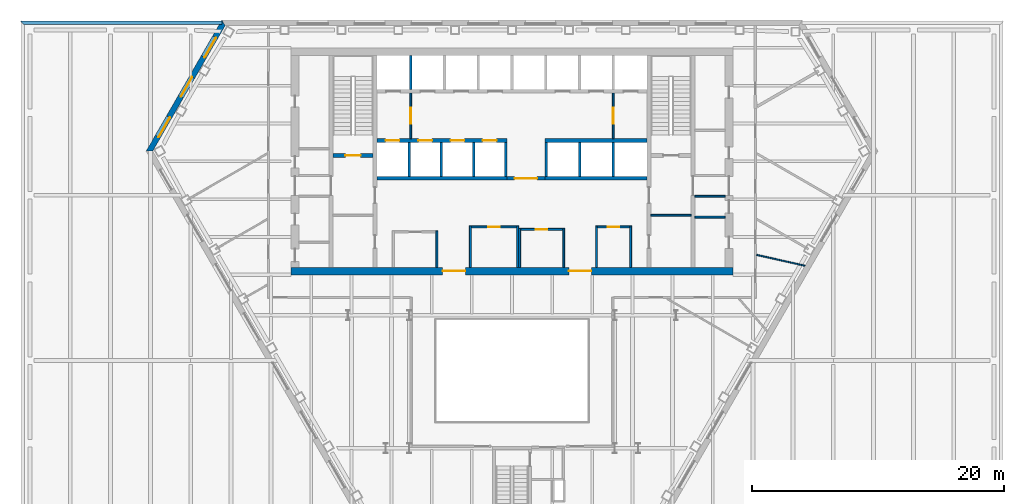
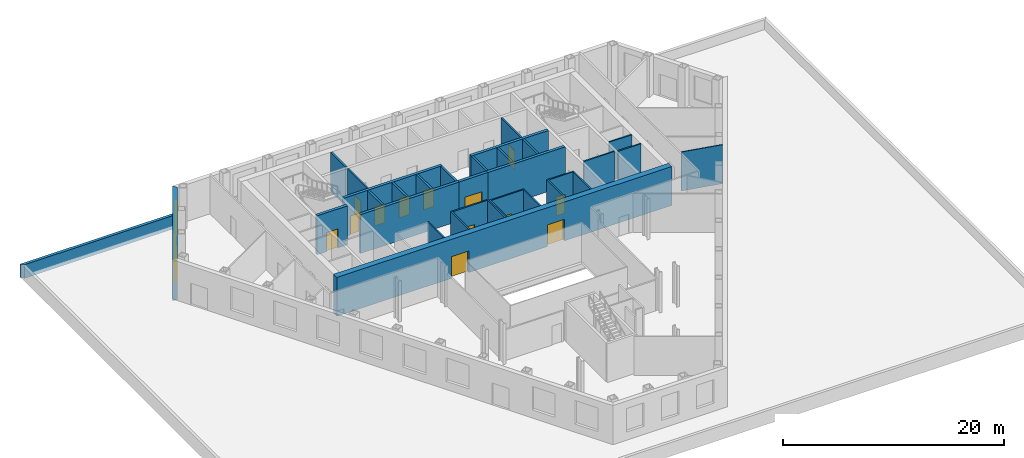
# One storey, part 8 of 14: 33 walls, 14 doors, 2 windows, 16 openings.
"""IFC4 building model written with IfcOpenShell, lengths in metres."""

from ifc_helpers import new_model, si_unit, direction, frame, frame_2d, origin, place, context, subcontext, project, spatial, polyline, rectangle, outline, extrude, material, layer, layer_set, type_object, element, fill, save


model = new_model("IFC4")

# Units and contexts
model_context = context("Model", 3, precision=1e-05, world=origin(), true_north=direction((0.0, 1.0)))
body_context = subcontext(model_context, "Body", "Model", "MODEL_VIEW")
ifc_project = project(units=[si_unit("LENGTHUNIT", "METRE"), si_unit("AREAUNIT", "SQUARE_METRE"), si_unit("VOLUMEUNIT", "CUBIC_METRE"), si_unit("PLANEANGLEUNIT", "RADIAN"), si_unit("MASSUNIT", "GRAM", prefix="KILO")], contexts=[model_context])

# Site, building, storey
site_placement = place(None, origin())
site = spatial("IfcSite", under=ifc_project, at=site_placement, CompositionType="ELEMENT")
building_placement = place(site_placement, origin())
building = spatial("IfcBuilding", under=site, at=building_placement, Name="Njiva Tower", CompositionType="ELEMENT")
storey_placement = place(building_placement, frame((0.0, 0.0, 28.8)))
storey = spatial("IfcBuildingStorey", under=building, at=storey_placement, Name="L05", CompositionType="ELEMENT", Elevation=28.8)

# Walls
ifc_material_1 = material(Name="Blockwork", Category="masonry")
ifc_layer_1 = layer(ifc_material_1, 0.15)
ifc_layer_set_1 = layer_set([ifc_layer_1], Name="Blockwork")
wall_type_1 = type_object("IfcWallType", Name="WT1 Compartment partition 150", PredefinedType="PARTITIONING", material=ifc_layer_set_1)
wall_1_placement = place(storey_placement, frame((11.0, 4.725, 0.0), z_axis=(0.0, 0.0, 1.0), x_axis=(1.0, 0.0, 0.0)))
element("IfcWall", 1, at=wall_1_placement, inside=storey, type_object=wall_type_1, Name="Room wall B", PredefinedType="PARTITIONING", context=body_context, shape_type="SweptSolid", body=[
    extrude(rectangle(XDim=3.2, YDim=0.15, at=frame_2d((1.6, 0.0))), origin(), (0.0, 0.0, 1.0), 4.3),
])
wall_2_placement = place(storey_placement, frame((14.5, 4.575, 0.0), z_axis=(0.0, 0.0, 1.0), x_axis=(1.0, 0.0, 0.0)))
element("IfcWall", 2, at=wall_2_placement, inside=storey, type_object=wall_type_1, Name="Partition strip E00", PredefinedType="PARTITIONING", context=body_context, shape_type="SweptSolid", body=[
    extrude(rectangle(XDim=2.4, YDim=0.15, at=frame_2d((1.2, 0.0))), origin(), (0.0, 0.0, 1.0), 4.3),
])
wall_3_placement = place(storey_placement, frame((-5.95, 0.6, 0.0), z_axis=(0.0, 0.0, 1.0), x_axis=(0.0, 1.0, 0.0)))
element("IfcWall", 3, at=wall_3_placement, inside=storey, type_object=wall_type_1, Name="Parcel room wall east", PredefinedType="PARTITIONING", context=body_context, shape_type="SweptSolid", body=[
    extrude(rectangle(XDim=2.875, YDim=0.15, at=frame_2d((1.4375, 0.0))), origin(), (0.0, 0.0, 1.0), 4.3),
])
for number, where, z_axis, x_axis, name in (
    (4, (-3.3, 0.6, 0.0), (0.0, 0.0, 1.0), (0.0, 1.0, 0.0), "Security office wall west"),
    (5, (0.45, 0.6, 0.0), (0.0, 0.0, 1.0), (0.0, 1.0, 0.0), "Security office wall east"),
):
    element("IfcWall", number, at=place(storey_placement, frame(where, z_axis=z_axis, x_axis=x_axis)), inside=storey, type_object=wall_type_1, Name=name, PredefinedType="PARTITIONING", context=body_context, shape_type="SweptSolid", body=[
        extrude(rectangle(XDim=3.275, YDim=0.15, at=frame_2d((1.6375, 0.0))), origin(), (0.0, 0.0, 1.0), 4.3),
    ])

# Wall, opening, door
wall_4_placement = place(storey_placement, frame((-3.225, 3.8, 0.0), z_axis=(0.0, 0.0, 1.0), x_axis=(1.0, 0.0, 0.0)))
wall_4 = element("IfcWall", 6, at=wall_4_placement, inside=storey, type_object=wall_type_1, Name="Security office wall north", PredefinedType="PARTITIONING", context=body_context, shape_type="SweptSolid", body=[
    extrude(rectangle(XDim=3.6, YDim=0.15, at=frame_2d((1.8, 0.0))), origin(), (0.0, 0.0, 1.0), 4.3),
])
opening_1_placement = place(wall_4_placement, frame((1.35, 0.0, 0.0)))
opening_1 = element("IfcOpeningElement", 7, at=opening_1_placement, cuts=wall_4, Name="Opening S01-D933", PredefinedType="OPENING", context=body_context, shape_type="SweptSolid", body=[
    extrude(rectangle(XDim=0.9, YDim=2.1, at=frame_2d((0.45, 1.05))), frame((0.0, 0.085, 0.0), z_axis=(0.0, -1.0, 0.0), x_axis=(1.0, 0.0, 0.0)), (0.0, 0.0, 1.0), 0.17),
])
ifc_material_2 = material(Name="Steel fire door, painted", Category="steel")
door_type_1 = type_object("IfcDoorType", Name="D6 Fire-rated door 900x2100", OperationType="SINGLE_SWING_LEFT", PredefinedType="DOOR", material=ifc_material_2)
door_1_placement = place(opening_1_placement, origin())
door_1 = element("IfcDoor", 8, at=door_1_placement, inside=storey, type_object=door_type_1, Name="Security office door", OperationType="SINGLE_SWING_LEFT", OverallHeight=2.1, OverallWidth=0.9, PredefinedType="DOOR", context=body_context, shape_type="SweptSolid", body=[
    extrude(rectangle(XDim=0.9, YDim=2.1, at=frame_2d((0.45, 1.05))), frame((0.0, 0.025, 0.0), z_axis=(0.0, -1.0, 0.0), x_axis=(1.0, 0.0, 0.0)), (0.0, 0.0, 1.0), 0.05),
])
fill(opening_1, door_1)

# Walls
for number, where, z_axis, x_axis, name in (
    (9, (0.6, 0.6, 0.0), (0.0, 0.0, 1.0), (0.0, 1.0, 0.0), "Concierge office wall west"),
    (10, (4.1, 0.6, 0.0), (0.0, 0.0, 1.0), (0.0, 1.0, 0.0), "Concierge office wall east"),
):
    element("IfcWall", number, at=place(storey_placement, frame(where, z_axis=z_axis, x_axis=x_axis)), inside=storey, type_object=wall_type_1, Name=name, PredefinedType="PARTITIONING", context=body_context, shape_type="SweptSolid", body=[
        extrude(rectangle(XDim=3.075, YDim=0.15, at=frame_2d((1.5375, 0.0))), origin(), (0.0, 0.0, 1.0), 4.3),
    ])

# Wall, opening, door
wall_5_placement = place(storey_placement, frame((0.675, 3.6, 0.0), z_axis=(0.0, 0.0, 1.0), x_axis=(1.0, 0.0, 0.0)))
wall_5 = element("IfcWall", 11, at=wall_5_placement, inside=storey, type_object=wall_type_1, Name="Concierge office wall north", PredefinedType="PARTITIONING", context=body_context, shape_type="SweptSolid", body=[
    extrude(rectangle(XDim=3.35, YDim=0.15, at=frame_2d((1.675, 0.0))), origin(), (0.0, 0.0, 1.0), 4.3),
])
opening_2_placement = place(wall_5_placement, frame((1.225, 0.0, 0.0)))
opening_2 = element("IfcOpeningElement", 12, at=opening_2_placement, cuts=wall_5, Name="Opening S01-D934", PredefinedType="OPENING", context=body_context, shape_type="SweptSolid", body=[
    extrude(rectangle(XDim=0.9, YDim=2.1, at=frame_2d((0.45, 1.05))), frame((0.0, 0.085, 0.0), z_axis=(0.0, -1.0, 0.0), x_axis=(1.0, 0.0, 0.0)), (0.0, 0.0, 1.0), 0.17),
])
door_2_placement = place(opening_2_placement, origin())
door_2 = element("IfcDoor", 13, at=door_2_placement, inside=storey, type_object=door_type_1, Name="Concierge office door", OperationType="SINGLE_SWING_LEFT", OverallHeight=2.1, OverallWidth=0.9, PredefinedType="DOOR", context=body_context, shape_type="SweptSolid", body=[
    extrude(rectangle(XDim=0.9, YDim=2.1, at=frame_2d((0.45, 1.05))), frame((0.0, 0.025, 0.0), z_axis=(0.0, -1.0, 0.0), x_axis=(1.0, 0.0, 0.0)), (0.0, 0.0, 1.0), 0.05),
])
fill(opening_2, door_2)

# Walls
for number, where, z_axis, x_axis, name in (
    (14, (6.7, 0.6, 0.0), (0.0, 0.0, 1.0), (0.0, 1.0, 0.0), "Post room wall west"),
    (15, (9.4, 0.6, 0.0), (0.0, 0.0, 1.0), (0.0, 1.0, 0.0), "Post room wall east"),
):
    element("IfcWall", number, at=place(storey_placement, frame(where, z_axis=z_axis, x_axis=x_axis)), inside=storey, type_object=wall_type_1, Name=name, PredefinedType="PARTITIONING", context=body_context, shape_type="SweptSolid", body=[
        extrude(rectangle(XDim=3.275, YDim=0.15, at=frame_2d((1.6375, 0.0))), origin(), (0.0, 0.0, 1.0), 4.3),
    ])

# Wall, opening, door
wall_6_placement = place(storey_placement, frame((6.775, 3.8, 0.0), z_axis=(0.0, 0.0, 1.0), x_axis=(1.0, 0.0, 0.0)))
wall_6 = element("IfcWall", 16, at=wall_6_placement, inside=storey, type_object=wall_type_1, Name="Post room wall north", PredefinedType="PARTITIONING", context=body_context, shape_type="SweptSolid", body=[
    extrude(rectangle(XDim=2.55, YDim=0.15, at=frame_2d((1.275, 0.0))), origin(), (0.0, 0.0, 1.0), 4.3),
])
opening_3_placement = place(wall_6_placement, frame((0.825, 0.0, 0.0)))
opening_3 = element("IfcOpeningElement", 17, at=opening_3_placement, cuts=wall_6, Name="Opening S01-D935", PredefinedType="OPENING", context=body_context, shape_type="SweptSolid", body=[
    extrude(rectangle(XDim=0.9, YDim=2.1, at=frame_2d((0.45, 1.05))), frame((0.0, 0.085, 0.0), z_axis=(0.0, -1.0, 0.0), x_axis=(1.0, 0.0, 0.0)), (0.0, 0.0, 1.0), 0.17),
])
door_3_placement = place(opening_3_placement, origin())
door_3 = element("IfcDoor", 18, at=door_3_placement, inside=storey, type_object=door_type_1, Name="Post room door", OperationType="SINGLE_SWING_RIGHT", OverallHeight=2.1, OverallWidth=0.9, PredefinedType="DOOR", context=body_context, shape_type="SweptSolid", body=[
    extrude(rectangle(XDim=0.9, YDim=2.1, at=frame_2d((0.45, 1.05))), frame((0.0, 0.025, 0.0), z_axis=(0.0, -1.0, 0.0), x_axis=(1.0, 0.0, 0.0)), (0.0, 0.0, 1.0), 0.05),
])
fill(opening_3, door_3)

ifc_material_3 = material(Name="Concrete C40/50", Category="concrete")
ifc_layer_2 = layer(ifc_material_3, 0.3)
ifc_layer_set_2 = layer_set([ifc_layer_2], Name="Concrete C40/50")
wall_type_2 = type_object("IfcWallType", Name="WT10 Stair enclosure wall 300", PredefinedType="SHEAR", material=ifc_layer_set_2)
wall_7_placement = place(storey_placement, frame((-14.2, 9.45, 0.0), z_axis=(0.0, 0.0, 1.0), x_axis=(1.0, 0.0, 0.0)))
wall_7 = element("IfcWall", 19, at=wall_7_placement, inside=storey, type_object=wall_type_2, Name="Stair A south wall", PredefinedType="SHEAR", context=body_context, shape_type="SweptSolid", body=[
    extrude(rectangle(XDim=3.2, YDim=0.3, at=frame_2d((1.6, 0.0))), origin(), (0.0, 0.0, 1.0), 4.3),
])
opening_4_placement = place(wall_7_placement, frame((1.0, 0.0, 0.0)))
opening_4 = element("IfcOpeningElement", 20, at=opening_4_placement, cuts=wall_7, Name="Opening S01-D913", PredefinedType="OPENING", context=body_context, shape_type="SweptSolid", body=[
    extrude(rectangle(XDim=1.2, YDim=2.1, at=frame_2d((0.6, 1.05))), frame((0.0, 0.16, 0.0), z_axis=(0.0, -1.0, 0.0), x_axis=(1.0, 0.0, 0.0)), (0.0, 0.0, 1.0), 0.32),
])
ifc_material_4 = material(Name="Glazed steel fire door", Category="steel")
door_type_2 = type_object("IfcDoorType", Name="D7 Stair vestibule door 1200x2100 glazed", OperationType="SINGLE_SWING_LEFT", PredefinedType="DOOR", material=ifc_material_4)
door_4_placement = place(opening_4_placement, origin())
door_4 = element("IfcDoor", 21, at=door_4_placement, inside=storey, type_object=door_type_2, Name="Stair A door", OperationType="SINGLE_SWING_LEFT", OverallHeight=2.1, OverallWidth=1.2, PredefinedType="DOOR", context=body_context, shape_type="SweptSolid", body=[
    extrude(rectangle(XDim=1.2, YDim=2.1, at=frame_2d((0.6, 1.05))), frame((0.0, 0.025, 0.0), z_axis=(0.0, -1.0, 0.0), x_axis=(1.0, 0.0, 0.0)), (0.0, 0.0, 1.0), 0.05),
])
fill(opening_4, door_4)

# Wall, openings, doors
ifc_material_5 = material(Name="Concrete C60/75", Category="concrete")
ifc_layer_3 = layer(ifc_material_5, 0.6)
ifc_layer_set_3 = layer_set([ifc_layer_3], Name="Concrete C60/75")
wall_type_3 = type_object("IfcWallType", Name="WT15 Core wall 600", PredefinedType="SHEAR", material=ifc_layer_set_3)
wall_8_placement = place(storey_placement, frame((-17.5, 0.3, 0.0), z_axis=(0.0, 0.0, 1.0), x_axis=(1.0, 0.0, 0.0)))
wall_8 = element("IfcWall", 22, at=wall_8_placement, inside=storey, type_object=wall_type_3, Name="Core wall south", PredefinedType="SHEAR", context=body_context, shape_type="SweptSolid", body=[
    extrude(rectangle(XDim=35.0, YDim=0.6, at=frame_2d((17.5, 0.0))), origin(), (0.0, 0.0, 1.0), 4.3),
])
opening_5_placement = place(wall_8_placement, frame((12.0, 0.0, 0.0)))
opening_5 = element("IfcOpeningElement", 23, at=opening_5_placement, cuts=wall_8, Name="Opening S01-D937", PredefinedType="OPENING", context=body_context, shape_type="SweptSolid", body=[
    extrude(rectangle(XDim=1.8, YDim=2.4, at=frame_2d((0.9, 1.2))), frame((0.0, 0.31, 0.0), z_axis=(0.0, -1.0, 0.0), x_axis=(1.0, 0.0, 0.0)), (0.0, 0.0, 1.0), 0.62),
])
opening_6_placement = place(wall_8_placement, frame((22.0, 0.0, 0.0)))
opening_6 = element("IfcOpeningElement", 24, at=opening_6_placement, cuts=wall_8, Name="Opening S01-D938", PredefinedType="OPENING", context=body_context, shape_type="SweptSolid", body=[
    extrude(rectangle(XDim=1.8, YDim=2.4, at=frame_2d((0.9, 1.2))), frame((0.0, 0.31, 0.0), z_axis=(0.0, -1.0, 0.0), x_axis=(1.0, 0.0, 0.0)), (0.0, 0.0, 1.0), 0.62),
])
ifc_material_6 = material(Name="Steel and glass door", Category="steel")
door_type_3 = type_object("IfcDoorType", Name="D3 Core entrance door 1800x2400", OperationType="DOUBLE_DOOR_SINGLE_SWING", PredefinedType="DOOR", material=ifc_material_6)
door_5_placement = place(opening_5_placement, origin())
door_5 = element("IfcDoor", 25, at=door_5_placement, inside=storey, type_object=door_type_3, Name="Core entrance door", OperationType="DOUBLE_DOOR_SINGLE_SWING", OverallHeight=2.4, OverallWidth=1.8, PredefinedType="DOOR", context=body_context, shape_type="SweptSolid", body=[
    extrude(rectangle(XDim=1.8, YDim=2.4, at=frame_2d((0.9, 1.2))), frame((0.0, 0.025, 0.0), z_axis=(0.0, -1.0, 0.0), x_axis=(1.0, 0.0, 0.0)), (0.0, 0.0, 1.0), 0.05),
])
fill(opening_5, door_5)
door_6_placement = place(opening_6_placement, origin())
door_6 = element("IfcDoor", 26, at=door_6_placement, inside=storey, type_object=door_type_3, Name="Core entrance door", OperationType="DOUBLE_DOOR_SINGLE_SWING", OverallHeight=2.4, OverallWidth=1.8, PredefinedType="DOOR", context=body_context, shape_type="SweptSolid", body=[
    extrude(rectangle(XDim=1.8, YDim=2.4, at=frame_2d((0.9, 1.2))), frame((0.0, 0.025, 0.0), z_axis=(0.0, -1.0, 0.0), x_axis=(1.0, 0.0, 0.0)), (0.0, 0.0, 1.0), 0.05),
])
fill(opening_6, door_6)

# Wall, opening, door
ifc_layer_4 = layer(ifc_material_1, 0.15)
ifc_layer_set_4 = layer_set([ifc_layer_4], Name="Blockwork")
wall_type_4 = type_object("IfcWallType", Name="WT2 Lobby partition 150", PredefinedType="PARTITIONING", material=ifc_layer_set_4)
wall_9_placement = place(storey_placement, frame((-8.025, 10.8, 0.0), z_axis=(0.0, 0.0, 1.0), x_axis=(0.0, 1.0, 0.0)))
wall_9 = element("IfcWall", 27, at=wall_9_placement, inside=storey, type_object=wall_type_4, Name="Firefighting lobby wall A", PredefinedType="PARTITIONING", context=body_context, shape_type="SweptSolid", body=[
    extrude(rectangle(XDim=3.6, YDim=0.15, at=frame_2d((1.8, 0.0))), origin(), (0.0, 0.0, 1.0), 4.3),
])
opening_7_placement = place(wall_9_placement, frame((1.175, 0.0, 0.0)))
opening_7 = element("IfcOpeningElement", 28, at=opening_7_placement, cuts=wall_9, Name="Opening S01-D912", PredefinedType="OPENING", context=body_context, shape_type="SweptSolid", body=[
    extrude(rectangle(XDim=1.25, YDim=2.1, at=frame_2d((0.625, 1.05))), frame((0.0, 0.085, 0.0), z_axis=(0.0, -1.0, 0.0), x_axis=(1.0, 0.0, 0.0)), (0.0, 0.0, 1.0), 0.17),
])
door_type_4 = type_object("IfcDoorType", Name="D8 Vestibule corridor door 1250x2100 glazed", OperationType="SINGLE_SWING_LEFT", PredefinedType="DOOR", material=ifc_material_4)
door_7_placement = place(opening_7_placement, origin())
door_7 = element("IfcDoor", 29, at=door_7_placement, inside=storey, type_object=door_type_4, Name="Stair vestibule corridor door", OperationType="SINGLE_SWING_RIGHT", OverallHeight=2.1, OverallWidth=1.25, PredefinedType="DOOR", context=body_context, shape_type="SweptSolid", body=[
    extrude(rectangle(XDim=1.25, YDim=2.1, at=frame_2d((0.625, 1.05))), frame((0.0, 0.025, 0.0), z_axis=(0.0, -1.0, 0.0), x_axis=(1.0, 0.0, 0.0)), (0.0, 0.0, 1.0), 0.05),
])
fill(opening_7, door_7)

wall_10_placement = place(storey_placement, frame((8.025, 10.8, 0.0), z_axis=(0.0, 0.0, 1.0), x_axis=(0.0, 1.0, 0.0)))
wall_10 = element("IfcWall", 30, at=wall_10_placement, inside=storey, type_object=wall_type_4, Name="Firefighting lobby wall B", PredefinedType="PARTITIONING", context=body_context, shape_type="SweptSolid", body=[
    extrude(rectangle(XDim=3.6, YDim=0.15, at=frame_2d((1.8, 0.0))), origin(), (0.0, 0.0, 1.0), 4.3),
])
opening_8_placement = place(wall_10_placement, frame((1.175, 0.0, 0.0)))
opening_8 = element("IfcOpeningElement", 31, at=opening_8_placement, cuts=wall_10, Name="Opening S01-D916", PredefinedType="OPENING", context=body_context, shape_type="SweptSolid", body=[
    extrude(rectangle(XDim=1.25, YDim=2.1, at=frame_2d((0.625, 1.05))), frame((0.0, 0.085, 0.0), z_axis=(0.0, -1.0, 0.0), x_axis=(1.0, 0.0, 0.0)), (0.0, 0.0, 1.0), 0.17),
])
door_8_placement = place(opening_8_placement, origin())
door_8 = element("IfcDoor", 32, at=door_8_placement, inside=storey, type_object=door_type_4, Name="Stair vestibule corridor door", OperationType="SINGLE_SWING_LEFT", OverallHeight=2.1, OverallWidth=1.25, PredefinedType="DOOR", context=body_context, shape_type="SweptSolid", body=[
    extrude(rectangle(XDim=1.25, YDim=2.1, at=frame_2d((0.625, 1.05))), frame((0.0, 0.025, 0.0), z_axis=(0.0, -1.0, 0.0), x_axis=(1.0, 0.0, 0.0)), (0.0, 0.0, 1.0), 0.05),
])
fill(opening_8, door_8)

# Walls
ifc_material_7 = material(Name="Gypsum board on steel studs", Category="gypsum")
ifc_layer_5 = layer(ifc_material_7, 0.1)
ifc_layer_set_5 = layer_set([ifc_layer_5], Name="Gypsum board on steel studs")
wall_type_5 = type_object("IfcWallType", Name="WT20 Gypsum partition 100", PredefinedType="PARTITIONING", material=ifc_layer_set_5)
wall_11_placement = place(storey_placement, frame((19.386, 1.585, 0.0), z_axis=(0.0, 0.0, 1.0), x_axis=(0.975507775366, -0.219964952209, 0.0)))
element("IfcWall", 33, at=wall_11_placement, inside=storey, type_object=wall_type_5, Name="Partition S01-P016", PredefinedType="PARTITIONING", context=body_context, shape_type="SweptSolid", body=[
    extrude(rectangle(XDim=3.9415, YDim=0.1, at=frame_2d((1.9708, 0.0))), origin(), (0.0, 0.0, 1.0), 4.3),
])
ifc_layer_6 = layer(ifc_material_1, 0.15)
ifc_layer_set_6 = layer_set([ifc_layer_6], Name="Blockwork")
wall_type_6 = type_object("IfcWallType", Name="WT4 Stair partition 150", PredefinedType="PARTITIONING", material=ifc_layer_set_6)
wall_12_placement = place(storey_placement, frame((14.5, 6.225, 0.0), z_axis=(0.0, 0.0, 1.0), x_axis=(1.0, 0.0, 0.0)))
element("IfcWall", 34, at=wall_12_placement, inside=storey, type_object=wall_type_6, Name="Stair B exit passage wall south", PredefinedType="PARTITIONING", context=body_context, shape_type="SweptSolid", body=[
    extrude(rectangle(XDim=2.4, YDim=0.15, at=frame_2d((1.2, 0.0))), origin(), (0.0, 0.0, 1.0), 4.3),
])

# Wall, opening, door
ifc_layer_7 = layer(ifc_material_1, 0.3)
ifc_layer_set_7 = layer_set([ifc_layer_7], Name="Blockwork")
wall_type_7 = type_object("IfcWallType", Name="WT5 Lobby partition 300", PredefinedType="PARTITIONING", material=ifc_layer_set_7)
wall_13_placement = place(storey_placement, frame((-0.4, 7.65, 0.0), z_axis=(0.0, 0.0, 1.0), x_axis=(1.0, 0.0, 0.0)))
wall_13 = element("IfcWall", 35, at=wall_13_placement, inside=storey, type_object=wall_type_7, Name="Lift lobby screen wall", PredefinedType="PARTITIONING", context=body_context, shape_type="SweptSolid", body=[
    extrude(rectangle(XDim=3.0, YDim=0.3, at=frame_2d((1.5, 0.0))), origin(), (0.0, 0.0, 1.0), 4.3),
])
opening_9_placement = place(wall_13_placement, frame((0.6, 0.0, 0.0)))
opening_9 = element("IfcOpeningElement", 36, at=opening_9_placement, cuts=wall_13, Name="Opening S01-D936", PredefinedType="OPENING", context=body_context, shape_type="SweptSolid", body=[
    extrude(rectangle(XDim=1.8, YDim=2.4, at=frame_2d((0.9, 1.2))), frame((0.0, 0.16, 0.0), z_axis=(0.0, -1.0, 0.0), x_axis=(1.0, 0.0, 0.0)), (0.0, 0.0, 1.0), 0.32),
])
door_9_placement = place(opening_9_placement, origin())
door_9 = element("IfcDoor", 37, at=door_9_placement, inside=storey, type_object=door_type_3, Name="Core entrance door", OperationType="DOUBLE_DOOR_SINGLE_SWING", OverallHeight=2.4, OverallWidth=1.8, PredefinedType="DOOR", context=body_context, shape_type="SweptSolid", body=[
    extrude(rectangle(XDim=1.8, YDim=2.4, at=frame_2d((0.9, 1.2))), frame((0.0, 0.025, 0.0), z_axis=(0.0, -1.0, 0.0), x_axis=(1.0, 0.0, 0.0)), (0.0, 0.0, 1.0), 0.05),
])
fill(opening_9, door_9)

# Walls
ifc_layer_8 = layer(ifc_material_3, 0.2)
ifc_layer_set_8 = layer_set([ifc_layer_8], Name="Concrete C40/50")
wall_type_8 = type_object("IfcWallType", Name="WT6 Lift shaft wall 200", PredefinedType="SHEAR", material=ifc_layer_set_8)
for number, where, z_axis, x_axis, name in (
    (38, (-8.025, 14.7, 0.0), (0.0, 0.0, 1.0), (0.0, 1.0, 0.0), "Shaft wall CN1"),
    (39, (-8.15, 7.8, 0.0), (0.0, 0.0, 1.0), (0.0, 1.0, 0.0), "Shaft wall CS1"),
    (40, (-5.6, 7.8, 0.0), (0.0, 0.0, 1.0), (0.0, 1.0, 0.0), "Shaft wall CS2"),
    (41, (-3.05, 7.8, 0.0), (0.0, 0.0, 1.0), (0.0, 1.0, 0.0), "Shaft wall CS3"),
    (42, (-0.5, 7.8, 0.0), (0.0, 0.0, 1.0), (0.0, 1.0, 0.0), "Shaft wall CS4"),
    (43, (2.7, 7.8, 0.0), (0.0, 0.0, 1.0), (0.0, 1.0, 0.0), "Shaft wall CS5"),
    (44, (5.3667, 7.8, 0.0), (0.0, 0.0, 1.0), (0.0, 1.0, 0.0), "Shaft wall CS6"),
    (45, (8.0333, 7.8, 0.0), (0.0, 0.0, 1.0), (0.0, 1.0, 0.0), "Shaft wall CS7"),
):
    element("IfcWall", number, at=place(storey_placement, frame(where, z_axis=z_axis, x_axis=x_axis)), inside=storey, type_object=wall_type_8, Name=name, PredefinedType="SHEAR", context=body_context, shape_type="SweptSolid", body=[
        extrude(rectangle(XDim=2.7, YDim=0.2, at=frame_2d((1.35, 0.0))), origin(), (0.0, 0.0, 1.0), 4.3),
    ])

# Wall, openings, doors
ifc_layer_9 = layer(ifc_material_3, 0.3)
ifc_layer_set_9 = layer_set([ifc_layer_9], Name="Concrete C40/50")
wall_type_9 = type_object("IfcWallType", Name="WT7 Lift shaft wall 300", PredefinedType="SHEAR", material=ifc_layer_set_9)
wall_14_placement = place(storey_placement, frame((-10.7, 10.65, 0.0), z_axis=(0.0, 0.0, 1.0), x_axis=(1.0, 0.0, 0.0)))
wall_14 = element("IfcWall", 46, at=wall_14_placement, inside=storey, type_object=wall_type_9, Name="Shaft wall south row lobby side W", PredefinedType="SHEAR", context=body_context, shape_type="SweptSolid", body=[
    extrude(rectangle(XDim=10.3, YDim=0.3, at=frame_2d((5.15, 0.0))), origin(), (0.0, 0.0, 1.0), 4.3),
])
opening_10_placement = place(wall_14_placement, frame((0.675, 0.0, 0.0)))
opening_10 = element("IfcOpeningElement", 47, at=opening_10_placement, cuts=wall_14, Name="Opening S01-D908", PredefinedType="OPENING", context=body_context, shape_type="SweptSolid", body=[
    extrude(rectangle(XDim=1.1, YDim=2.1, at=frame_2d((0.55, 1.05))), frame((0.0, 0.16, 0.0), z_axis=(0.0, -1.0, 0.0), x_axis=(1.0, 0.0, 0.0)), (0.0, 0.0, 1.0), 0.32),
])
opening_11_placement = place(wall_14_placement, frame((3.275, 0.0, 0.0)))
opening_11 = element("IfcOpeningElement", 48, at=opening_11_placement, cuts=wall_14, Name="Opening S01-D909", PredefinedType="OPENING", context=body_context, shape_type="SweptSolid", body=[
    extrude(rectangle(XDim=1.1, YDim=2.1, at=frame_2d((0.55, 1.05))), frame((0.0, 0.16, 0.0), z_axis=(0.0, -1.0, 0.0), x_axis=(1.0, 0.0, 0.0)), (0.0, 0.0, 1.0), 0.32),
])
opening_12_placement = place(wall_14_placement, frame((5.825, 0.0, 0.0)))
opening_12 = element("IfcOpeningElement", 49, at=opening_12_placement, cuts=wall_14, Name="Opening S01-D910", PredefinedType="OPENING", context=body_context, shape_type="SweptSolid", body=[
    extrude(rectangle(XDim=1.1, YDim=2.1, at=frame_2d((0.55, 1.05))), frame((0.0, 0.16, 0.0), z_axis=(0.0, -1.0, 0.0), x_axis=(1.0, 0.0, 0.0)), (0.0, 0.0, 1.0), 0.32),
])
opening_13_placement = place(wall_14_placement, frame((8.375, 0.0, 0.0)))
opening_13 = element("IfcOpeningElement", 50, at=opening_13_placement, cuts=wall_14, Name="Opening S01-D911", PredefinedType="OPENING", context=body_context, shape_type="SweptSolid", body=[
    extrude(rectangle(XDim=1.1, YDim=2.1, at=frame_2d((0.55, 1.05))), frame((0.0, 0.16, 0.0), z_axis=(0.0, -1.0, 0.0), x_axis=(1.0, 0.0, 0.0)), (0.0, 0.0, 1.0), 0.32),
])
ifc_material_8 = material(Name="Stainless steel sliding door", Category="steel")
door_type_5 = type_object("IfcDoorType", Name="LD Lift landing door 1100x2100", OperationType="SLIDING_TO_LEFT", PredefinedType="DOOR", material=ifc_material_8)
door_10_placement = place(opening_10_placement, origin())
door_10 = element("IfcDoor", 51, at=door_10_placement, inside=storey, type_object=door_type_5, Name="Lift landing door LB4", OperationType="SLIDING_TO_LEFT", OverallHeight=2.1, OverallWidth=1.1, PredefinedType="DOOR", context=body_context, shape_type="SweptSolid", body=[
    extrude(rectangle(XDim=1.1, YDim=2.1, at=frame_2d((0.55, 1.05))), frame((0.0, 0.025, 0.0), z_axis=(0.0, -1.0, 0.0), x_axis=(1.0, 0.0, 0.0)), (0.0, 0.0, 1.0), 0.05),
])
fill(opening_10, door_10)
door_11_placement = place(opening_11_placement, origin())
door_11 = element("IfcDoor", 52, at=door_11_placement, inside=storey, type_object=door_type_5, Name="Lift landing door LB5", OperationType="SLIDING_TO_LEFT", OverallHeight=2.1, OverallWidth=1.1, PredefinedType="DOOR", context=body_context, shape_type="SweptSolid", body=[
    extrude(rectangle(XDim=1.1, YDim=2.1, at=frame_2d((0.55, 1.05))), frame((0.0, 0.025, 0.0), z_axis=(0.0, -1.0, 0.0), x_axis=(1.0, 0.0, 0.0)), (0.0, 0.0, 1.0), 0.05),
])
fill(opening_11, door_11)
door_12_placement = place(opening_12_placement, origin())
door_12 = element("IfcDoor", 53, at=door_12_placement, inside=storey, type_object=door_type_5, Name="Lift landing door LB6", OperationType="SLIDING_TO_LEFT", OverallHeight=2.1, OverallWidth=1.1, PredefinedType="DOOR", context=body_context, shape_type="SweptSolid", body=[
    extrude(rectangle(XDim=1.1, YDim=2.1, at=frame_2d((0.55, 1.05))), frame((0.0, 0.025, 0.0), z_axis=(0.0, -1.0, 0.0), x_axis=(1.0, 0.0, 0.0)), (0.0, 0.0, 1.0), 0.05),
])
fill(opening_12, door_12)
door_13_placement = place(opening_13_placement, origin())
door_13 = element("IfcDoor", 54, at=door_13_placement, inside=storey, type_object=door_type_5, Name="Lift landing door LB7", OperationType="SLIDING_TO_LEFT", OverallHeight=2.1, OverallWidth=1.1, PredefinedType="DOOR", context=body_context, shape_type="SweptSolid", body=[
    extrude(rectangle(XDim=1.1, YDim=2.1, at=frame_2d((0.55, 1.05))), frame((0.0, 0.025, 0.0), z_axis=(0.0, -1.0, 0.0), x_axis=(1.0, 0.0, 0.0)), (0.0, 0.0, 1.0), 0.05),
])
fill(opening_13, door_13)

# Walls
wall_15_placement = place(storey_placement, frame((-10.7, 7.65, 0.0), z_axis=(0.0, 0.0, 1.0), x_axis=(1.0, 0.0, 0.0)))
element("IfcWall", 55, at=wall_15_placement, inside=storey, type_object=wall_type_9, Name="Shaft wall south row back W", PredefinedType="SHEAR", context=body_context, shape_type="SweptSolid", body=[
    extrude(rectangle(XDim=10.3, YDim=0.3, at=frame_2d((5.15, 0.0))), origin(), (0.0, 0.0, 1.0), 4.3),
])
for number, where, z_axis, x_axis, name in (
    (56, (2.6, 10.65, 0.0), (0.0, 0.0, 1.0), (1.0, 0.0, 0.0), "Shaft wall south row lobby side E"),
    (57, (2.6, 7.65, 0.0), (0.0, 0.0, 1.0), (1.0, 0.0, 0.0), "Shaft wall south row back E"),
):
    element("IfcWall", number, at=place(storey_placement, frame(where, z_axis=z_axis, x_axis=x_axis)), inside=storey, type_object=wall_type_9, Name=name, PredefinedType="SHEAR", context=body_context, shape_type="SweptSolid", body=[
        extrude(rectangle(XDim=8.1, YDim=0.3, at=frame_2d((4.05, 0.0))), origin(), (0.0, 0.0, 1.0), 4.3),
    ])
ifc_material_9 = material(Name="Brick masonry", Category="masonry")
ifc_layer_10 = layer(ifc_material_9, 0.3)
ifc_layer_set_10 = layer_set([ifc_layer_10], Name="Brick masonry")
wall_type_10 = type_object("IfcWallType", Name="WT92 Terrace parapet wall 300", PredefinedType="PARAPET", material=ifc_layer_set_10)
wall_16_placement = place(storey_placement, frame((-23.0, 19.975, -0.4), z_axis=(0.0, 0.0, 1.0), x_axis=(-1.0, 0.0, 0.0)))
element("IfcWall", 58, at=wall_16_placement, inside=storey, type_object=wall_type_10, Name="Terrace parapet", PredefinedType="PARAPET", context=body_context, shape_type="SweptSolid", body=[
    extrude(outline(polyline([(0.0, -0.15), (16.0, -0.15), (15.7, 0.15), (0.0, 0.15), (0.0, -0.15)])), origin(), (0.0, 0.0, 1.0), 1.5),
])

# Wall, openings, door, windows
ifc_material_10 = material(Name="Brick masonry, buff", Category="masonry")
ifc_layer_11 = layer(ifc_material_10, 0.45)
ifc_layer_set_11 = layer_set([ifc_layer_11], Name="Brick masonry, buff")
wall_type_11 = type_object("IfcWallType", Name="WT94 Brick pier and spandrel wall 450, buff", PredefinedType="SOLIDWALL", material=ifc_layer_set_11)
wall_17_placement = place(storey_placement, frame((-22.8701, 19.975, -0.23), z_axis=(0.0, 0.0, 1.0), x_axis=(-0.500000422144, -0.866025160059, 0.0)))
wall_17 = element("IfcWall", 59, at=wall_17_placement, inside=storey, type_object=wall_type_11, Name="Facade wall NW", PredefinedType="SOLIDWALL", context=body_context, shape_type="SweptSolid", body=[
    extrude(outline(polyline([(-0.1299, -0.225), (11.8701, -0.225), (11.6103, 0.225), (0.1299, 0.225), (-0.1299, -0.225)])), origin(), (0.0, 0.0, 1.0), 4.33),
])
opening_14_placement = place(wall_17_placement, frame((1.3164, 0.0, 1.13)))
opening_14 = element("IfcOpeningElement", 60, at=opening_14_placement, cuts=wall_17, Name="Opening S01-W09", PredefinedType="OPENING", context=body_context, shape_type="SweptSolid", body=[
    extrude(rectangle(XDim=1.8, YDim=2.6, at=frame_2d((0.9, 1.3))), frame((0.0, 0.235, 0.0), z_axis=(0.0, -1.0, 0.0), x_axis=(1.0, 0.0, 0.0)), (0.0, 0.0, 1.0), 0.47),
])
opening_15_placement = place(wall_17_placement, frame((4.9701, 0.0, 0.23)))
opening_15 = element("IfcOpeningElement", 61, at=opening_15_placement, cuts=wall_17, Name="Opening S01-D01", PredefinedType="OPENING", context=body_context, shape_type="SweptSolid", body=[
    extrude(rectangle(XDim=1.8, YDim=2.4, at=frame_2d((0.9, 1.2))), frame((0.0, 0.235, 0.0), z_axis=(0.0, -1.0, 0.0), x_axis=(1.0, 0.0, 0.0)), (0.0, 0.0, 1.0), 0.47),
])
opening_16_placement = place(wall_17_placement, frame((8.6237, 0.0, 1.13)))
opening_16 = element("IfcOpeningElement", 62, at=opening_16_placement, cuts=wall_17, Name="Opening S01-W10", PredefinedType="OPENING", context=body_context, shape_type="SweptSolid", body=[
    extrude(rectangle(XDim=1.8, YDim=2.6, at=frame_2d((0.9, 1.3))), frame((0.0, 0.235, 0.0), z_axis=(0.0, -1.0, 0.0), x_axis=(1.0, 0.0, 0.0)), (0.0, 0.0, 1.0), 0.47),
])
ifc_material_11 = material(Name="Aluminium frame with clear glazing", Category="aluminium")
door_type_6 = type_object("IfcDoorType", Name="D92 Terrace door pair 1800x2400", OperationType="DOUBLE_DOOR_SINGLE_SWING", PredefinedType="DOOR", material=ifc_material_11)
door_14_placement = place(opening_15_placement, frame((1.8, 0.0, 0.0), z_axis=(0.0, 0.0, 1.0), x_axis=(-1.0, 0.0, 0.0)))
door_14 = element("IfcDoor", 63, at=door_14_placement, inside=storey, type_object=door_type_6, Name="Terrace door", OperationType="DOUBLE_DOOR_SINGLE_SWING", OverallHeight=2.4, OverallWidth=1.8, PredefinedType="DOOR", context=body_context, shape_type="SweptSolid", body=[
    extrude(rectangle(XDim=1.8, YDim=2.4, at=frame_2d((0.9, 1.2))), frame((0.0, 0.025, 0.0), z_axis=(0.0, -1.0, 0.0), x_axis=(1.0, 0.0, 0.0)), (0.0, 0.0, 1.0), 0.05),
])
fill(opening_15, door_14)
ifc_material_12 = material(Name="Clear glazing in aluminium frame", Category="aluminium")
window_type = type_object("IfcWindowType", Name="W96 Deep-set window 1800x2600", PartitioningType="SINGLE_PANEL", PredefinedType="WINDOW", material=ifc_material_12)
window_1_placement = place(opening_14_placement, origin())
window_1 = element("IfcWindow", 64, at=window_1_placement, inside=storey, type_object=window_type, Name="Window", OverallHeight=2.6, OverallWidth=1.8, PartitioningType="SINGLE_PANEL", PredefinedType="WINDOW", context=body_context, shape_type="SweptSolid", body=[
    extrude(rectangle(XDim=1.8, YDim=2.6, at=frame_2d((0.9, 1.3))), frame((0.0, 0.105, 0.0), z_axis=(0.0, -1.0, 0.0), x_axis=(1.0, 0.0, 0.0)), (0.0, 0.0, 1.0), 0.06),
])
fill(opening_14, window_1)
window_2_placement = place(opening_16_placement, origin())
window_2 = element("IfcWindow", 65, at=window_2_placement, inside=storey, type_object=window_type, Name="Window", OverallHeight=2.6, OverallWidth=1.8, PartitioningType="SINGLE_PANEL", PredefinedType="WINDOW", context=body_context, shape_type="SweptSolid", body=[
    extrude(rectangle(XDim=1.8, YDim=2.6, at=frame_2d((0.9, 1.3))), frame((0.0, 0.105, 0.0), z_axis=(0.0, -1.0, 0.0), x_axis=(1.0, 0.0, 0.0)), (0.0, 0.0, 1.0), 0.06),
])
fill(opening_16, window_2)

save(model, "model.ifc")
